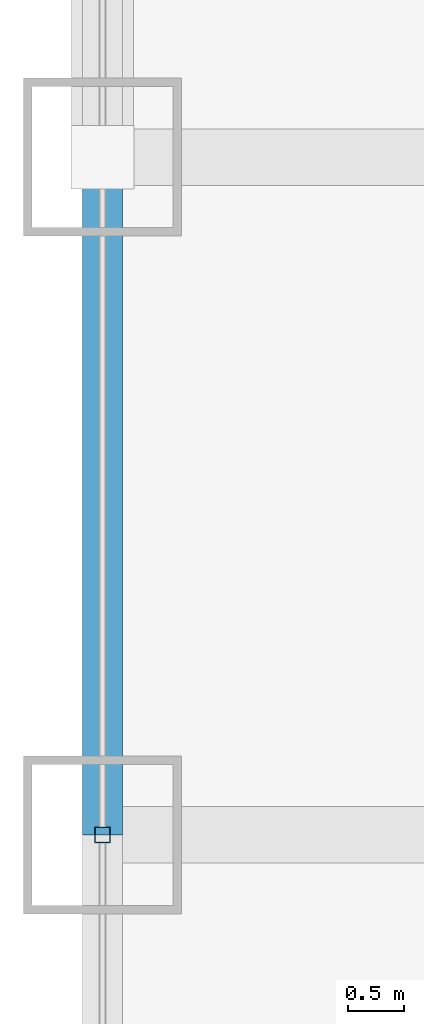
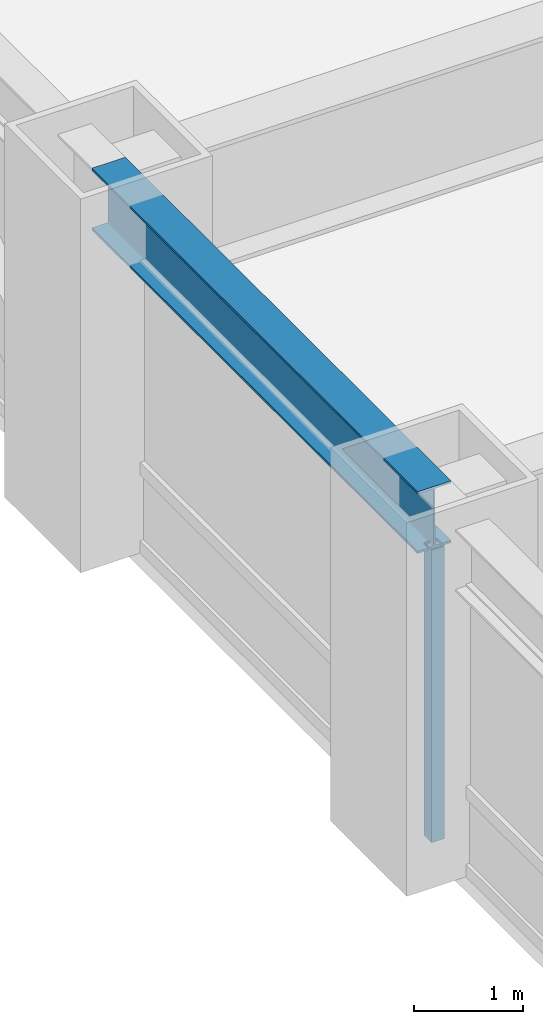
# One storey, part 8 of 29: 1 beam, 1 member, 1 element without a shape of its own.
"""IFC4 building model written with IfcOpenShell, lengths in metres."""

from ifc_helpers import new_model, si_unit, direction, frame, origin, origin_2d, place, context, subcontext, project, spatial, hollow_rectangle, i_section, extrude, source, transform, mapped, material, material_profile, profile_set, type_object, element, aggregate, save


model = new_model("IFC4")

# Units and contexts
model_context = context("Model", 3, precision=1e-05, world=origin(), true_north=direction((0.0, 1.0)))
body_context = subcontext(model_context, "Body", "Model", "MODEL_VIEW")
ifc_project = project(units=[si_unit("LENGTHUNIT", "METRE"), si_unit("AREAUNIT", "SQUARE_METRE"), si_unit("VOLUMEUNIT", "CUBIC_METRE"), si_unit("PLANEANGLEUNIT", "RADIAN"), si_unit("MASSUNIT", "GRAM", prefix="KILO")], contexts=[model_context])

# Site, building, storey
site_placement = place(None, origin())
site = spatial("IfcSite", under=ifc_project, at=site_placement, CompositionType="ELEMENT")
building_placement = place(site_placement, origin())
building = spatial("IfcBuilding", under=site, at=building_placement, Name="Khorayat Bourse Tower", CompositionType="ELEMENT")
storey_placement = place(building_placement, frame((0.0, 0.0, 87.199951171875)))
storey = spatial("IfcBuildingStorey", under=building, at=storey_placement, Name="L19", CompositionType="ELEMENT", Elevation=87.199951171875)

# Beam
ifc_material_1 = material(Name="Steel ASTM A992 Grade 50", Category="steel")
ifc_material_profile_1 = material_profile(ifc_material_1, i_section(OverallWidth=0.35498046875, OverallDepth=0.695068359375, WebThickness=0.015380859375, FlangeThickness=0.02490234375, FilletRadius=0.01806640625, at=origin_2d()), Name="W690X217")
ifc_profile_set_1 = profile_set([ifc_material_profile_1], Name="Steel ASTM A992 Grade 50")
beam_type = type_object("IfcBeamType", Name="BM-SPAN-690", PredefinedType="SPANDREL", material=ifc_profile_set_1)
shared_shape_1 = source(origin(), body_context, "Body", "SweptSolid", [
    extrude(i_section(OverallWidth=0.35498046875, OverallDepth=0.695068359375, WebThickness=0.015380859375, FlangeThickness=0.02490234375, FilletRadius=0.01806640625, at=origin_2d()), origin(), (0.0, 0.0, 1.0), 6.0),
])
beam_placement = place(storey_placement, frame((-32.0, 0.0, 3.592529296875), z_axis=(0.0, 1.0, 0.0), x_axis=(-1.0, 0.0, 0.0)))
element("IfcBeam", 1, at=beam_placement, inside=storey, type_object=beam_type, Name="L19 BM-SPAN-690 BM-L19-SPN-057", PredefinedType="SPANDREL", context=body_context, shape_type="MappedRepresentation", body=[
    mapped(shared_shape_1, transform((0.0, 0.0, 0.0), scale=1.0)),
])

# Curtain wall, member
ifc_material_2 = material(Name="Aluminium EN AW-6063 T6", Category="aluminium")
curtain_wall_type = type_object("IfcCurtainWallType", Name="CW-SYS-02", PredefinedType="NOTDEFINED", material=ifc_material_2)
curtain_wall_placement = place(storey_placement, origin())
curtain_wall = element("IfcCurtainWall", 2, at=curtain_wall_placement, inside=storey, type_object=curtain_wall_type, Name="L19 Curtain Wall CW-L19-W1", PredefinedType="NOTDEFINED")
ifc_material_profile_2 = material_profile(ifc_material_2, hollow_rectangle(XDim=0.139892578125, YDim=0.139892578125, WallThickness=0.006103515625, at=origin_2d()), Name="ALU 140x140x6")
ifc_profile_set_2 = profile_set([ifc_material_profile_2], Name="Aluminium EN AW-6063 T6")
member_type = type_object("IfcMemberType", Name="CWM-VERT-140", PredefinedType="MULLION", material=ifc_profile_set_2)
shared_shape_2 = source(origin(), body_context, "Body", "SweptSolid", [
    extrude(hollow_rectangle(XDim=0.139892578125, YDim=0.139892578125, WallThickness=0.006103515625, at=origin_2d()), origin(), (0.0, 0.0, 1.0), 3.2900390625),
])
member_placement = place(storey_placement, frame((-32.0, 0.0, 0.0), z_axis=(0.0, 0.0, 1.0), x_axis=(-1.0, 0.0, 0.0)))
member = element("IfcMember", 3, at=member_placement, type_object=member_type, Name="CW-L19-W1 Vertical Mullion 2", PredefinedType="MULLION", context=body_context, shape_type="MappedRepresentation", body=[
    mapped(shared_shape_2, transform((0.0, 0.0, 0.0), scale=1.0)),
])
aggregate(curtain_wall, [member])

save(model, "model.ifc")
